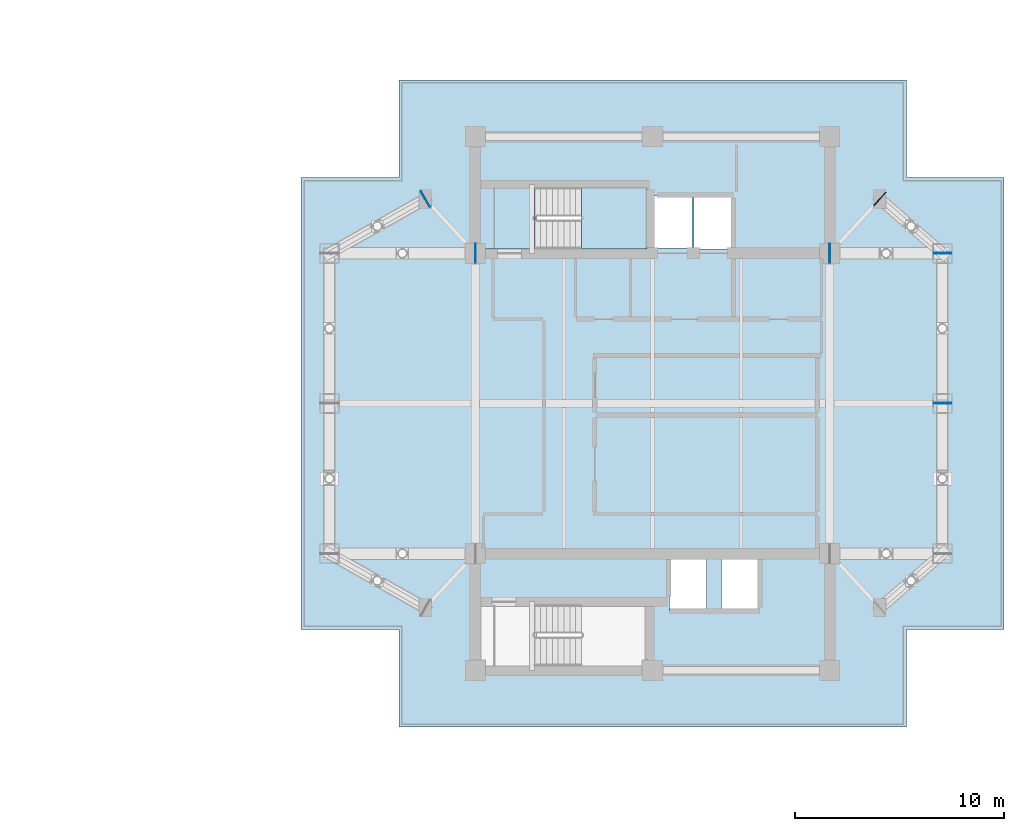
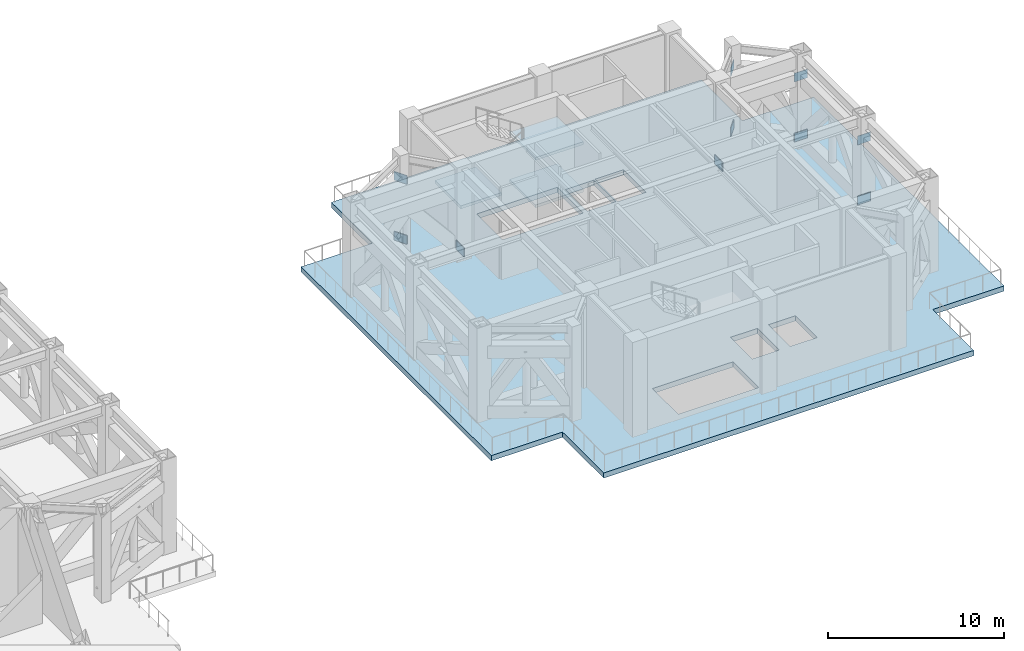
# One storey, part 8 of 18: 10 plates, 4 slabs, 1 element without a shape of its own.
"""IFC4 building model written with IfcOpenShell, lengths in metres."""

import ifcopenshell
import ifcopenshell.guid

model = None  # the IFC model being written
_history = None  # IfcOwnerHistory: only IFC2X3 demands one
_inside = {}  # id of a spatial element -> (the spatial element, [elements in it])
_under = {}  # id of a project, library or spatial element -> (it, [spatial elements below it])
_declared = {}  # id of a project -> (the project, [libraries it declares])
_typed = {}  # id of a type object -> (the type object, [elements of that type])
_made_of = {}  # id of a material, layer set ... -> (it, [elements and type objects made of it])


def new_model(schema):
    """Start an empty IFC model of exactly this schema.

    Asked for "IFC4X3", IfcOpenShell would pick the latest addendum, in which some entities
    have other attributes; the version numbers below select the first issue.
    IFC2X3 requires an IfcOwnerHistory on every rooted entity: one is made here for all.
    """
    global model, _history
    if schema == "IFC4X3":
        model = ifcopenshell.file(schema_version=(4, 3, 0, 0))
    else:
        model = ifcopenshell.file(schema=schema)
    _inside.clear()
    _under.clear()
    _declared.clear()
    _typed.clear()
    _made_of.clear()
    _history = None
    if model.schema == "IFC2X3":
        org = make("IfcOrganization", Name="unknown")
        user = make(
            "IfcPersonAndOrganization",
            ThePerson=make("IfcPerson", FamilyName="unknown"),
            TheOrganization=org,
        )
        app = make(
            "IfcApplication",
            ApplicationDeveloper=org,
            Version="unknown",
            ApplicationFullName="unknown",
            ApplicationIdentifier="unknown",
        )
        _history = make(
            "IfcOwnerHistory",
            OwningUser=user,
            OwningApplication=app,
            ChangeAction="ADDED",
            CreationDate=0,
        )
    return model


def make(cls, **values):
    """One entity of the class cls with the attributes given. An attribute that is None is left unset."""
    return model.create_entity(
        cls, **{name: value for name, value in values.items() if value is not None}
    )


def rooted(cls, **values):
    """An entity with a GlobalId (a new one), such as an element, a storey or a relation."""
    return make(cls, GlobalId=ifcopenshell.guid.new(), OwnerHistory=_history, **values)


def si_unit(unit_type, name, prefix=None):
    """IfcSIUnit, for example si_unit("LENGTHUNIT", "METRE", prefix="MILLI")."""
    return make("IfcSIUnit", UnitType=unit_type, Prefix=prefix, Name=name)


def assignment(units):
    """IfcUnitAssignment: the units of a project."""
    return None if units is None else make("IfcUnitAssignment", Units=units)


def point(xyz):
    """IfcCartesianPoint."""
    return None if xyz is None else make("IfcCartesianPoint", Coordinates=xyz)


def direction(xyz):
    """IfcDirection."""
    return None if xyz is None else make("IfcDirection", DirectionRatios=xyz)


def frame(location, z_axis=None, x_axis=None):
    """IfcAxis2Placement3D, a coordinate frame: its origin and axes. An axis left out is left unset."""
    return make(
        "IfcAxis2Placement3D",
        Location=point(location),
        Axis=direction(z_axis),
        RefDirection=direction(x_axis),
    )


def frame_2d(location, x_axis=None):
    """IfcAxis2Placement2D, a coordinate frame in the plane: its origin and x axis."""
    return make(
        "IfcAxis2Placement2D", Location=point(location), RefDirection=direction(x_axis)
    )


def origin():
    """The frame at (0, 0, 0) with its axes left unset."""
    return frame((0.0, 0.0, 0.0))


def origin_2d():
    """The frame at (0, 0) in the plane with its x axis left unset."""
    return frame_2d((0.0, 0.0))


def place(relative_to, where):
    """IfcLocalPlacement: puts the frame where relative to a parent placement (None: the world)."""
    return make(
        "IfcLocalPlacement", PlacementRelTo=relative_to, RelativePlacement=where
    )


def context(
    kind, dimensions, precision=None, world=None, true_north=None, identifier=None
):
    """IfcGeometricRepresentationContext, for example the 3D "Model" context."""
    return make(
        "IfcGeometricRepresentationContext",
        ContextIdentifier=identifier,
        ContextType=kind,
        CoordinateSpaceDimension=dimensions,
        Precision=precision,
        WorldCoordinateSystem=world,
        TrueNorth=true_north,
    )


def subcontext(parent, identifier, kind, view, scale=None):
    """IfcGeometricRepresentationSubContext, for example "Body" below "Model"."""
    return make(
        "IfcGeometricRepresentationSubContext",
        ContextIdentifier=identifier,
        ContextType=kind,
        ParentContext=parent,
        TargetScale=scale,
        TargetView=view,
    )


def project(units=None, contexts=None):
    """IfcProject with its units and contexts."""
    return rooted(
        "IfcProject",
        Name="project",
        RepresentationContexts=contexts,
        UnitsInContext=assignment(units),
    )


def spatial(cls, under=None, at=None, **own):
    """A site, building, storey or space (cls), placed at a placement, below another one or the project."""
    s = rooted(cls, ObjectPlacement=at, **own)
    if under is not None:
        _under.setdefault(under.id(), (under, []))[1].append(s)
    return s


def polyline(points):
    """IfcPolyline through the points."""
    return make("IfcPolyline", Points=[point(p) for p in points])


def profile(cls, at=None, kind="AREA", **sizes):
    """A parametric profile (cls). Its sizes go by their IFC names, for example OverallWidth=200.0."""
    return make(cls, ProfileType=kind, Position=at, **sizes)


def rectangle(**sizes):
    """IfcRectangleProfileDef."""
    return profile("IfcRectangleProfileDef", **sizes)


def outline(outer, holes=None, kind="AREA"):
    """IfcArbitraryClosedProfileDef: a profile drawn as a closed curve; with holes, ...WithVoids."""
    if holes is None:
        return make("IfcArbitraryClosedProfileDef", ProfileType=kind, OuterCurve=outer)
    return make(
        "IfcArbitraryProfileDefWithVoids",
        ProfileType=kind,
        OuterCurve=outer,
        InnerCurves=holes,
    )


def extrude(swept, where, along, depth):
    """IfcExtrudedAreaSolid: the profile swept, set in the frame where, extruded along a direction by depth."""
    return make(
        "IfcExtrudedAreaSolid",
        SweptArea=swept,
        Position=where,
        ExtrudedDirection=direction(along),
        Depth=depth,
    )


def shape(context_of_items, identifier, shape_type, items):
    """IfcShapeRepresentation: the items that make up one representation, for example the "Body"."""
    return make(
        "IfcShapeRepresentation",
        ContextOfItems=context_of_items,
        RepresentationIdentifier=identifier,
        RepresentationType=shape_type,
        Items=items,
    )


def material(Name=None, Category=None):
    """IfcMaterial."""
    return make("IfcMaterial", Name=Name, Category=Category)


def layer(
    of_material, thickness, ventilated=None, Name=None, Category=None, Priority=None
):
    """IfcMaterialLayer: one layer of a wall or slab, of a material (None: an air gap)."""
    return make(
        "IfcMaterialLayer",
        Material=of_material,
        LayerThickness=thickness,
        IsVentilated=ventilated,
        Name=Name,
        Category=Category,
        Priority=Priority,
    )


def layer_set(layers, Name=None):
    """IfcMaterialLayerSet."""
    return make("IfcMaterialLayerSet", MaterialLayers=layers, LayerSetName=Name)


def made_of(thing, what):
    """Note that an element or type object is made of a material, layer set ...; save() writes the relation."""
    if what is not None:
        _made_of.setdefault(what.id(), (what, []))[1].append(thing)
    return thing


def type_object(cls, material=None, **own):
    """A type object (cls), such as IfcWallType, which elements share."""
    return made_of(rooted(cls, **own), material)


def element(
    cls,
    number,
    at=None,
    inside=None,
    cuts=None,
    type_object=None,
    material=None,
    context=None,
    identifier="Body",
    shape_type=None,
    held_by="IfcProductDefinitionShape",
    body=None,
    shapes=None,
    **own,
):
    """One element of the class cls, such as IfcWall. Its Tag is "e" and its number.

    at: its placement. inside: the storey or other place that contains it. cuts: it is an
    opening in that element (IfcRelVoidsElement). A single representation is given by context,
    identifier, shape_type and body (its items); several are given by shapes. held_by: the class
    of the entity that holds the representations. save() writes the other relations.
    """
    e = rooted(cls, Tag="e%d" % number, ObjectPlacement=at, **own)
    if body is not None:
        shapes = [shape(context, identifier, shape_type, body)]
    if shapes is not None:
        e.Representation = make(held_by, Representations=shapes)
    if inside is not None:
        _inside.setdefault(inside.id(), (inside, []))[1].append(e)
    if cuts is not None:
        rooted(
            "IfcRelVoidsElement", RelatingBuildingElement=cuts, RelatedOpeningElement=e
        )
    if type_object is not None:
        _typed.setdefault(type_object.id(), (type_object, []))[1].append(e)
    return made_of(e, material)


def aggregate(whole, parts):
    """IfcRelAggregates: a whole, such as a stair, and the parts it consists of."""
    return rooted("IfcRelAggregates", RelatingObject=whole, RelatedObjects=parts)


def save(model, path):
    """Write the relations noted so far, then the file.

    IfcRelAggregates (storeys below a building ...), IfcRelContainedInSpatialStructure (elements
    in a storey), IfcRelDefinesByType, IfcRelAssociatesMaterial and IfcRelDeclares: one each for
    every whole, place, type object, material and project.
    """
    for whole, parts in _under.values():
        aggregate(whole, parts)
    for where, things in _inside.values():
        rooted(
            "IfcRelContainedInSpatialStructure",
            RelatedElements=things,
            RelatingStructure=where,
        )
    for kind, things in _typed.values():
        rooted("IfcRelDefinesByType", RelatedObjects=things, RelatingType=kind)
    for what, things in _made_of.values():
        rooted("IfcRelAssociatesMaterial", RelatedObjects=things, RelatingMaterial=what)
    for by, libraries in _declared.values():
        rooted("IfcRelDeclares", RelatingContext=by, RelatedDefinitions=libraries)
    model.write(path)


model = new_model("IFC4")

# Units and contexts
model_context = context("Model", 3, precision=1e-05, world=origin(), true_north=direction((0.0, 1.0)))
body_context = subcontext(model_context, "Body", "Model", "MODEL_VIEW")
ifc_project = project(units=[si_unit("LENGTHUNIT", "METRE"), si_unit("AREAUNIT", "SQUARE_METRE"), si_unit("VOLUMEUNIT", "CUBIC_METRE"), si_unit("PLANEANGLEUNIT", "RADIAN"), si_unit("MASSUNIT", "GRAM", prefix="KILO")], contexts=[model_context])

# Site, building, storey
site_placement = place(None, origin())
site = spatial("IfcSite", under=ifc_project, at=site_placement, CompositionType="ELEMENT")
building_placement = place(site_placement, origin())
building = spatial("IfcBuilding", under=site, at=building_placement, Name="Mirazonda Arch Towers", CompositionType="ELEMENT")
storey_placement = place(building_placement, frame((0.0, 0.0, 147.800048828125)))
storey = spatial("IfcBuildingStorey", under=building, at=storey_placement, Name="L42", CompositionType="ELEMENT", Elevation=147.800048828125)

# Plates
ifc_material_1 = material(Name="Steel ASTM A572 Grade 50", Category="steel")
ifc_layer_1 = layer(ifc_material_1, 0.035888671875, Name="PLATE-CAP-850x600x36")
ifc_layer_set_1 = layer_set([ifc_layer_1], Name="Steel ASTM A572 Grade 50")
plate_type_1 = type_object("IfcPlateType", Name="PLATE-CAP-850x600x36", PredefinedType="USERDEFINED", material=ifc_layer_set_1)
for number, where, z_axis, x_axis, name in (
    (1, (90.39990234375, 28.008056640625, 0.25), (0.0, 0.0, 1.0), (0.0, 1.0, 0.0), "Steel end closure plate NP-BLT-L42-T2-BC03B"),
    (2, (90.39990234375, 28.008056640625, 4.419921875), (0.0, 0.0, 1.0), (0.0, 1.0, 0.0), "Steel end closure plate NP-BLT-L42-T2-TC03B"),
    (3, (90.39990234375, 35.2080078125, 0.25), (0.0, 0.0, 1.0), (0.0, 1.0, 0.0), "Steel end closure plate NP-BLT-L42-T2-BC04B"),
    (4, (90.39990234375, 35.2080078125, 4.419921875), (0.0, 0.0, 1.0), (0.0, 1.0, 0.0), "Steel end closure plate NP-BLT-L42-T2-TC04B"),
    (5, (65.60693359375, 37.803955078125, 0.25), (0.0, 0.0, 1.0), (0.87052753116, 0.492119718658, 0.0), "Steel end closure plate NP-BLT-L42-T2-BC07B"),
    (6, (65.60693359375, 37.803955078125, 4.419921875), (0.0, 0.0, 1.0), (0.87052753116, 0.492119718658, 0.0), "Steel end closure plate NP-BLT-L42-T2-TC07B"),
    (7, (87.39404296875, 37.80517578125, 0.25), (0.0, 0.0, 1.0), (-0.755739183826, 0.654872725061, 0.0), "Steel end closure plate NP-BLT-L42-T2-BC08A"),
    (8, (87.39404296875, 37.80517578125, 4.419921875), (0.0, 0.0, 1.0), (-0.755739183826, 0.654872725061, 0.0), "Steel end closure plate NP-BLT-L42-T2-TC08A"),
):
    element("IfcPlate", number, at=place(storey_placement, frame(where, z_axis=z_axis, x_axis=x_axis)), inside=storey, type_object=plate_type_1, Name=name, ObjectType="CAP PLATE", PredefinedType="USERDEFINED", context=body_context, shape_type="SweptSolid", body=[
        extrude(rectangle(XDim=0.0400390625, YDim=0.85009765625, at=origin_2d()), origin(), (0.0, 0.0, 1.0), 0.60009765625),
    ])
ifc_layer_2 = layer(ifc_material_1, 0.031982421875, Name="PLATE-GUSSET-900x650x32")
ifc_layer_set_2 = layer_set([ifc_layer_2], Name="Steel ASTM A572 Grade 50")
plate_type_2 = type_object("IfcPlateType", Name="PLATE-GUSSET-900x650x32", PredefinedType="USERDEFINED", material=ifc_layer_set_2)
for number, where, z_axis, x_axis, name in (
    (9, (68.005126953125, 35.199951171875, 0.218994140625), (0.0, 0.0, 1.0), (1.0, 0.0, 0.0), "Steel end closure plate NP-OUT-L42-T2-DG03B0"),
    (10, (84.99560546875, 35.199951171875, 0.21826171875), (0.0, 0.0, 1.0), (-1.0, 0.0, 0.0), "Steel end closure plate NP-OUT-L42-T2-DG04A0"),
):
    element("IfcPlate", number, at=place(storey_placement, frame(where, z_axis=z_axis, x_axis=x_axis)), inside=storey, type_object=plate_type_2, Name=name, ObjectType="GUSSET_PLATE", PredefinedType="USERDEFINED", context=body_context, shape_type="SweptSolid", body=[
        extrude(rectangle(XDim=0.0400390625, YDim=0.89990234375, at=origin_2d()), origin(), (0.0, 0.0, 1.0), 0.64990234375),
    ])

# Stair, slabs
ifc_material_2 = material(Name="Concrete C40/50", Category="concrete")
stair_type = type_object("IfcStairType", Name="STAIR-CORE-1400", PredefinedType="HALF_TURN_STAIR", material=ifc_material_2)
stair_placement = place(storey_placement, origin())
stair = element("IfcStair", 11, at=stair_placement, inside=storey, type_object=stair_type, Name="L42 Protected Exit Stair ST-T2N", PredefinedType="HALF_TURN_STAIR")
ifc_layer_3 = layer(ifc_material_2, 0.18994140625, Name="SLAB-LANDING-190")
ifc_layer_set_3 = layer_set([ifc_layer_3], Name="Concrete C40/50")
slab_type_1 = type_object("IfcSlabType", Name="SLAB-LANDING-190", PredefinedType="LANDING", material=ifc_layer_set_3)
slab_1_placement = place(storey_placement, frame((0.0, 0.0, 1.449951171875)))
slab_1 = element("IfcSlab", 12, at=slab_1_placement, type_object=slab_type_1, Name="ST-T2N landing 1", PredefinedType="LANDING", context=body_context, shape_type="SweptSolid", body=[
    extrude(outline(polyline([(73.090087890625, 35.419921875), (76.22998046875, 35.419921875), (76.22998046875, 38.360107421875), (73.090087890625, 38.360107421875), (73.090087890625, 35.419921875)])), origin(), (0.0, 0.0, 1.0), 0.199951171875),
])
slab_2_placement = place(storey_placement, frame((0.0, 0.0, 3.099853515625)))
slab_2 = element("IfcSlab", 13, at=slab_2_placement, type_object=slab_type_1, Name="ST-T2N landing 2", PredefinedType="LANDING", context=body_context, shape_type="SweptSolid", body=[
    extrude(outline(polyline([(68.179931640625, 35.419921875), (70.85009765625, 35.419921875), (70.85009765625, 38.360107421875), (68.179931640625, 38.360107421875), (68.179931640625, 35.419921875)])), origin(), (0.0, 0.0, 1.0), 0.2001953125),
])
slab_3_placement = place(storey_placement, frame((0.0, 0.0, 4.75)))
slab_3 = element("IfcSlab", 14, at=slab_3_placement, type_object=slab_type_1, Name="ST-T2N landing 3", PredefinedType="LANDING", context=body_context, shape_type="SweptSolid", body=[
    extrude(outline(polyline([(73.090087890625, 35.419921875), (76.22998046875, 35.419921875), (76.22998046875, 38.360107421875), (73.090087890625, 38.360107421875), (73.090087890625, 35.419921875)])), origin(), (0.0, 0.0, 1.0), 0.199951171875),
])
aggregate(stair, [slab_1, slab_2, slab_3])

# Slab
ifc_material_3 = material(Name="Concrete C50/60", Category="concrete")
ifc_layer_4 = layer(ifc_material_3, 0.360107421875, Name="SLAB-PORTAL-360")
ifc_layer_set_4 = layer_set([ifc_layer_4], Name="Concrete C50/60")
slab_type_2 = type_object("IfcSlabType", Name="SLAB-PORTAL-360", PredefinedType="FLOOR", material=ifc_layer_set_4)
slab_4_placement = place(storey_placement, frame((0.0, 0.0, -0.360107421875)))
element("IfcSlab", 15, at=slab_4_placement, inside=storey, type_object=slab_type_2, Name="L42 Tower 2 Wind-Portal Deck Slab", PredefinedType="FLOOR", context=body_context, shape_type="SweptSolid", body=[
    extrude(outline(polyline([(64.332763671875, 12.488525390625), (88.667236328125, 12.488525390625), (88.667236328125, 17.173583984375), (93.3525390625, 17.173583984375), (93.3525390625, 38.826416015625), (88.667236328125, 38.826416015625), (88.667236328125, 43.511474609375), (64.332763671875, 43.511474609375), (64.332763671875, 38.826416015625), (59.6474609375, 38.826416015625), (59.6474609375, 17.173583984375), (64.332763671875, 17.173583984375), (64.332763671875, 12.488525390625)]), holes=[polyline([(79.81005859375, 20.5400390625), (81.590087890625, 20.5400390625), (81.590087890625, 18.06005859375), (79.81005859375, 18.06005859375), (79.81005859375, 20.5400390625)]), polyline([(78.47998046875, 37.989990234375), (80.360107421875, 37.989990234375), (80.360107421875, 35.409912109375), (78.47998046875, 35.409912109375), (78.47998046875, 37.989990234375)]), polyline([(77.31005859375, 20.5400390625), (79.090087890625, 20.5400390625), (79.090087890625, 18.06005859375), (77.31005859375, 18.06005859375), (77.31005859375, 20.5400390625)]), polyline([(76.510009765625, 35.4599609375), (76.510009765625, 37.93994140625), (78.389892578125, 37.93994140625), (78.389892578125, 35.4599609375), (76.510009765625, 35.4599609375)]), polyline([(76.22998046875, 15.419921875), (70.925048828125, 15.419921875), (70.925048828125, 18.360107421875), (76.22998046875, 18.360107421875), (76.22998046875, 15.419921875)]), polyline([(70.925048828125, 35.419921875), (70.925048828125, 38.360107421875), (76.22998046875, 38.360107421875), (76.22998046875, 35.419921875), (70.925048828125, 35.419921875)])]), origin(), (0.0, 0.0, 1.0), 0.360107421875),
])

save(model, "model.ifc")
